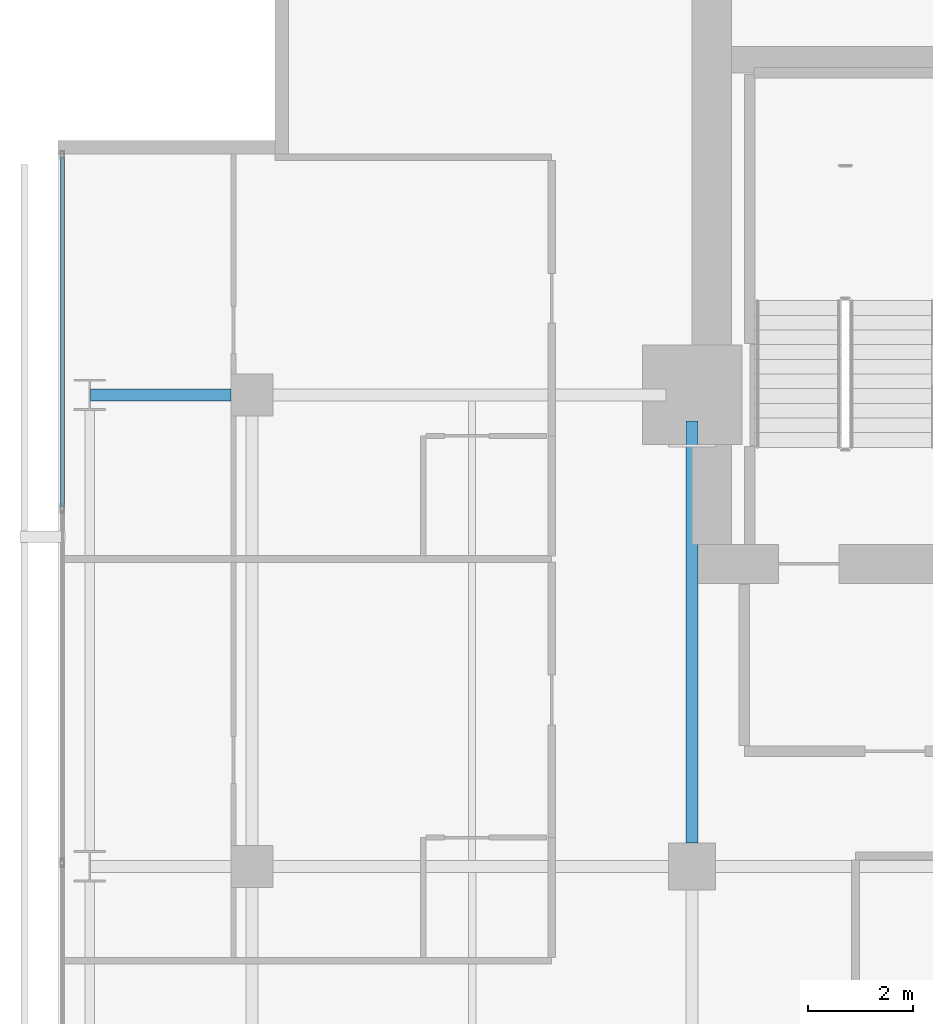
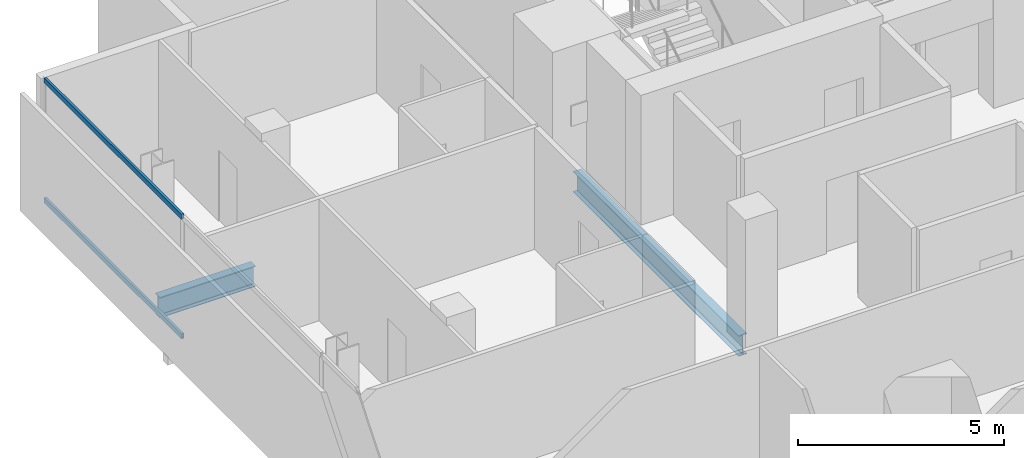
# One storey, part 19 of 33: 2 beams, 2 members, 1 element without a shape of its own.
"""IFC4 building model written with IfcOpenShell, lengths in metres."""

import ifcopenshell
import ifcopenshell.guid

model = None  # the IFC model being written
_history = None  # IfcOwnerHistory: only IFC2X3 demands one
_inside = {}  # id of a spatial element -> (the spatial element, [elements in it])
_under = {}  # id of a project, library or spatial element -> (it, [spatial elements below it])
_declared = {}  # id of a project -> (the project, [libraries it declares])
_typed = {}  # id of a type object -> (the type object, [elements of that type])
_made_of = {}  # id of a material, layer set ... -> (it, [elements and type objects made of it])


def new_model(schema):
    """Start an empty IFC model of exactly this schema.

    Asked for "IFC4X3", IfcOpenShell would pick the latest addendum, in which some entities
    have other attributes; the version numbers below select the first issue.
    IFC2X3 requires an IfcOwnerHistory on every rooted entity: one is made here for all.
    """
    global model, _history
    if schema == "IFC4X3":
        model = ifcopenshell.file(schema_version=(4, 3, 0, 0))
    else:
        model = ifcopenshell.file(schema=schema)
    _inside.clear()
    _under.clear()
    _declared.clear()
    _typed.clear()
    _made_of.clear()
    _history = None
    if model.schema == "IFC2X3":
        org = make("IfcOrganization", Name="unknown")
        user = make(
            "IfcPersonAndOrganization",
            ThePerson=make("IfcPerson", FamilyName="unknown"),
            TheOrganization=org,
        )
        app = make(
            "IfcApplication",
            ApplicationDeveloper=org,
            Version="unknown",
            ApplicationFullName="unknown",
            ApplicationIdentifier="unknown",
        )
        _history = make(
            "IfcOwnerHistory",
            OwningUser=user,
            OwningApplication=app,
            ChangeAction="ADDED",
            CreationDate=0,
        )
    return model


def make(cls, **values):
    """One entity of the class cls with the attributes given. An attribute that is None is left unset."""
    return model.create_entity(
        cls, **{name: value for name, value in values.items() if value is not None}
    )


def rooted(cls, **values):
    """An entity with a GlobalId (a new one), such as an element, a storey or a relation."""
    return make(cls, GlobalId=ifcopenshell.guid.new(), OwnerHistory=_history, **values)


def si_unit(unit_type, name, prefix=None):
    """IfcSIUnit, for example si_unit("LENGTHUNIT", "METRE", prefix="MILLI")."""
    return make("IfcSIUnit", UnitType=unit_type, Prefix=prefix, Name=name)


def assignment(units):
    """IfcUnitAssignment: the units of a project."""
    return None if units is None else make("IfcUnitAssignment", Units=units)


def point(xyz):
    """IfcCartesianPoint."""
    return None if xyz is None else make("IfcCartesianPoint", Coordinates=xyz)


def direction(xyz):
    """IfcDirection."""
    return None if xyz is None else make("IfcDirection", DirectionRatios=xyz)


def frame(location, z_axis=None, x_axis=None):
    """IfcAxis2Placement3D, a coordinate frame: its origin and axes. An axis left out is left unset."""
    return make(
        "IfcAxis2Placement3D",
        Location=point(location),
        Axis=direction(z_axis),
        RefDirection=direction(x_axis),
    )


def frame_2d(location, x_axis=None):
    """IfcAxis2Placement2D, a coordinate frame in the plane: its origin and x axis."""
    return make(
        "IfcAxis2Placement2D", Location=point(location), RefDirection=direction(x_axis)
    )


def origin():
    """The frame at (0, 0, 0) with its axes left unset."""
    return frame((0.0, 0.0, 0.0))


def origin_2d():
    """The frame at (0, 0) in the plane with its x axis left unset."""
    return frame_2d((0.0, 0.0))


def place(relative_to, where):
    """IfcLocalPlacement: puts the frame where relative to a parent placement (None: the world)."""
    return make(
        "IfcLocalPlacement", PlacementRelTo=relative_to, RelativePlacement=where
    )


def context(
    kind, dimensions, precision=None, world=None, true_north=None, identifier=None
):
    """IfcGeometricRepresentationContext, for example the 3D "Model" context."""
    return make(
        "IfcGeometricRepresentationContext",
        ContextIdentifier=identifier,
        ContextType=kind,
        CoordinateSpaceDimension=dimensions,
        Precision=precision,
        WorldCoordinateSystem=world,
        TrueNorth=true_north,
    )


def subcontext(parent, identifier, kind, view, scale=None):
    """IfcGeometricRepresentationSubContext, for example "Body" below "Model"."""
    return make(
        "IfcGeometricRepresentationSubContext",
        ContextIdentifier=identifier,
        ContextType=kind,
        ParentContext=parent,
        TargetScale=scale,
        TargetView=view,
    )


def project(units=None, contexts=None):
    """IfcProject with its units and contexts."""
    return rooted(
        "IfcProject",
        Name="project",
        RepresentationContexts=contexts,
        UnitsInContext=assignment(units),
    )


def spatial(cls, under=None, at=None, **own):
    """A site, building, storey or space (cls), placed at a placement, below another one or the project."""
    s = rooted(cls, ObjectPlacement=at, **own)
    if under is not None:
        _under.setdefault(under.id(), (under, []))[1].append(s)
    return s


def profile(cls, at=None, kind="AREA", **sizes):
    """A parametric profile (cls). Its sizes go by their IFC names, for example OverallWidth=200.0."""
    return make(cls, ProfileType=kind, Position=at, **sizes)


def hollow_rectangle(**sizes):
    """IfcRectangleHollowProfileDef."""
    return profile("IfcRectangleHollowProfileDef", **sizes)


def i_section(**sizes):
    """IfcIShapeProfileDef."""
    return profile("IfcIShapeProfileDef", **sizes)


def extrude(swept, where, along, depth):
    """IfcExtrudedAreaSolid: the profile swept, set in the frame where, extruded along a direction by depth."""
    return make(
        "IfcExtrudedAreaSolid",
        SweptArea=swept,
        Position=where,
        ExtrudedDirection=direction(along),
        Depth=depth,
    )


def shape(context_of_items, identifier, shape_type, items):
    """IfcShapeRepresentation: the items that make up one representation, for example the "Body"."""
    return make(
        "IfcShapeRepresentation",
        ContextOfItems=context_of_items,
        RepresentationIdentifier=identifier,
        RepresentationType=shape_type,
        Items=items,
    )


def material(Name=None, Category=None):
    """IfcMaterial."""
    return make("IfcMaterial", Name=Name, Category=Category)


def layer(
    of_material, thickness, ventilated=None, Name=None, Category=None, Priority=None
):
    """IfcMaterialLayer: one layer of a wall or slab, of a material (None: an air gap)."""
    return make(
        "IfcMaterialLayer",
        Material=of_material,
        LayerThickness=thickness,
        IsVentilated=ventilated,
        Name=Name,
        Category=Category,
        Priority=Priority,
    )


def layer_set(layers, Name=None):
    """IfcMaterialLayerSet."""
    return make("IfcMaterialLayerSet", MaterialLayers=layers, LayerSetName=Name)


def material_profile(
    of_material, cross_section, Name=None, Category=None, Priority=None
):
    """IfcMaterialProfile: a cross section and its material."""
    return make(
        "IfcMaterialProfile",
        Name=Name,
        Material=of_material,
        Profile=cross_section,
        Priority=Priority,
        Category=Category,
    )


def profile_set(profiles, Name=None, composite=None):
    """IfcMaterialProfileSet."""
    return make(
        "IfcMaterialProfileSet",
        Name=Name,
        MaterialProfiles=profiles,
        CompositeProfile=composite,
    )


def made_of(thing, what):
    """Note that an element or type object is made of a material, layer set ...; save() writes the relation."""
    if what is not None:
        _made_of.setdefault(what.id(), (what, []))[1].append(thing)
    return thing


def type_object(cls, material=None, **own):
    """A type object (cls), such as IfcWallType, which elements share."""
    return made_of(rooted(cls, **own), material)


def element(
    cls,
    number,
    at=None,
    inside=None,
    cuts=None,
    type_object=None,
    material=None,
    context=None,
    identifier="Body",
    shape_type=None,
    held_by="IfcProductDefinitionShape",
    body=None,
    shapes=None,
    **own,
):
    """One element of the class cls, such as IfcWall. Its Tag is "e" and its number.

    at: its placement. inside: the storey or other place that contains it. cuts: it is an
    opening in that element (IfcRelVoidsElement). A single representation is given by context,
    identifier, shape_type and body (its items); several are given by shapes. held_by: the class
    of the entity that holds the representations. save() writes the other relations.
    """
    e = rooted(cls, Tag="e%d" % number, ObjectPlacement=at, **own)
    if body is not None:
        shapes = [shape(context, identifier, shape_type, body)]
    if shapes is not None:
        e.Representation = make(held_by, Representations=shapes)
    if inside is not None:
        _inside.setdefault(inside.id(), (inside, []))[1].append(e)
    if cuts is not None:
        rooted(
            "IfcRelVoidsElement", RelatingBuildingElement=cuts, RelatedOpeningElement=e
        )
    if type_object is not None:
        _typed.setdefault(type_object.id(), (type_object, []))[1].append(e)
    return made_of(e, material)


def aggregate(whole, parts):
    """IfcRelAggregates: a whole, such as a stair, and the parts it consists of."""
    return rooted("IfcRelAggregates", RelatingObject=whole, RelatedObjects=parts)


def save(model, path):
    """Write the relations noted so far, then the file.

    IfcRelAggregates (storeys below a building ...), IfcRelContainedInSpatialStructure (elements
    in a storey), IfcRelDefinesByType, IfcRelAssociatesMaterial and IfcRelDeclares: one each for
    every whole, place, type object, material and project.
    """
    for whole, parts in _under.values():
        aggregate(whole, parts)
    for where, things in _inside.values():
        rooted(
            "IfcRelContainedInSpatialStructure",
            RelatedElements=things,
            RelatingStructure=where,
        )
    for kind, things in _typed.values():
        rooted("IfcRelDefinesByType", RelatedObjects=things, RelatingType=kind)
    for what, things in _made_of.values():
        rooted("IfcRelAssociatesMaterial", RelatedObjects=things, RelatingMaterial=what)
    for by, libraries in _declared.values():
        rooted("IfcRelDeclares", RelatingContext=by, RelatedDefinitions=libraries)
    model.write(path)


model = new_model("IFC4")

# Units and contexts
model_context = context("Model", 3, precision=1e-05, world=origin(), true_north=direction((0.0, 1.0)))
body_context = subcontext(model_context, "Body", "Model", "MODEL_VIEW")
ifc_project = project(units=[si_unit("LENGTHUNIT", "METRE"), si_unit("AREAUNIT", "SQUARE_METRE"), si_unit("VOLUMEUNIT", "CUBIC_METRE"), si_unit("PLANEANGLEUNIT", "RADIAN"), si_unit("MASSUNIT", "GRAM", prefix="KILO")], contexts=[model_context])

# Site, building, storey
site_placement = place(None, origin())
site = spatial("IfcSite", under=ifc_project, at=site_placement, CompositionType="ELEMENT")
building_placement = place(site_placement, origin())
building = spatial("IfcBuilding", under=site, at=building_placement, Name="Maruvema Waterfront Hotel and Observation Tower", CompositionType="ELEMENT")
storey_placement = place(building_placement, frame((0.0, 0.0, 142.800048828125)))
storey = spatial("IfcBuildingStorey", under=building, at=storey_placement, Name="L34", CompositionType="ELEMENT", Elevation=142.800048828125)

# Curtain wall, members
ifc_material_1 = material(Name="Anodised bronze aluminium and solar-control low-E IGU", Category="aluminium")
ifc_layer = layer(ifc_material_1, 0.159912109375, Name="Zone 2 Amber Inner Thermal Curtain Wall System CW-03")
ifc_layer_set = layer_set([ifc_layer], Name="Anodised bronze aluminium and solar-control low-E IGU")
curtain_wall_type = type_object("IfcCurtainWallType", Name="Zone 2 Amber Inner Thermal Curtain Wall System CW-03", PredefinedType="USERDEFINED", material=ifc_layer_set)
curtain_wall_placement = place(storey_placement, origin())
curtain_wall = element("IfcCurtainWall", 1, at=curtain_wall_placement, inside=storey, type_object=curtain_wall_type, Name="L34 Curtain Wall CW-L34-W", ObjectType="UNITISED CURTAIN WALL", PredefinedType="USERDEFINED")
ifc_material_2 = material(Name="Anodised architectural bronze aluminium", Category="aluminium")
ifc_material_profile_1 = material_profile(ifc_material_2, hollow_rectangle(XDim=0.070068359375, YDim=0.14990234375, WallThickness=0.00390625, at=origin_2d()), Name="ALU-T70x150")
ifc_profile_set_1 = profile_set([ifc_material_profile_1], Name="Anodised architectural bronze aluminium")
member_type = type_object("IfcMemberType", Name="Curtain Wall Horizontal Transom ALU-T70x150", PredefinedType="USERDEFINED", material=ifc_profile_set_1)
member_1_placement = place(storey_placement, frame((13.179931640625, 49.5400390625, 0.030029296875), z_axis=(0.0, -1.0, 0.0), x_axis=(1.0, 0.0, 0.0)))
member_1 = element("IfcMember", 2, at=member_1_placement, type_object=member_type, Name="CW-03 transom 1.1", ObjectType="TRANSOM", PredefinedType="USERDEFINED", context=body_context, shape_type="SweptSolid", body=[
    extrude(hollow_rectangle(XDim=0.070068359375, YDim=0.14990234375, WallThickness=0.00390625, at=origin_2d()), origin(), (0.0, 0.0, 1.0), 6.6767578125),
])
member_2_placement = place(storey_placement, frame((13.179931640625, 49.5400390625, 3.579833984375), z_axis=(0.0, -1.0, 0.0), x_axis=(1.0, 0.0, 0.0)))
member_2 = element("IfcMember", 3, at=member_2_placement, type_object=member_type, Name="CW-03 transom 1.2", ObjectType="TRANSOM", PredefinedType="USERDEFINED", context=body_context, shape_type="SweptSolid", body=[
    extrude(hollow_rectangle(XDim=0.070068359375, YDim=0.14990234375, WallThickness=0.00390625, at=origin_2d()), origin(), (0.0, 0.0, 1.0), 6.6767578125),
])
aggregate(curtain_wall, [member_1, member_2])

# Beams
ifc_material_3 = material(Name="Steel ASTM A572 Grade 50", Category="steel")
ifc_material_profile_2 = material_profile(ifc_material_3, i_section(OverallWidth=0.22900390625, OverallDepth=0.612060546875, WebThickness=0.011962890625, FlangeThickness=0.01953125, FilletRadius=0.01806640625, at=origin_2d()), Name="W610x125.0")
ifc_profile_set_2 = profile_set([ifc_material_profile_2], Name="Steel ASTM A572 Grade 50")
beam_type = type_object("IfcBeamType", Name="Primary Floor Girder W610x125.0", PredefinedType="BEAM", material=ifc_profile_set_2)
beam_1_placement = place(storey_placement, frame((13.71240234375, 45.0, -0.546142578125), z_axis=(1.0, 0.0, 0.0), x_axis=(0.0, 1.0, 0.0)))
element("IfcBeam", 4, at=beam_1_placement, inside=storey, type_object=beam_type, Name="L34 Floor Girder EW-30", PredefinedType="BEAM", context=body_context, shape_type="SweptSolid", body=[
    extrude(i_section(OverallWidth=0.22900390625, OverallDepth=0.612060546875, WebThickness=0.011962890625, FlangeThickness=0.01953125, FilletRadius=0.01806640625, at=origin_2d()), origin(), (0.0, 0.0, 1.0), 2.6875),
])
beam_2_placement = place(storey_placement, frame((25.199951171875, 36.449951171875, -0.546142578125), z_axis=(0.0, 1.0, 0.0), x_axis=(-1.0, 0.0, 0.0)))
element("IfcBeam", 5, at=beam_2_placement, inside=storey, type_object=beam_type, Name="L34 Floor Girder NS-13", PredefinedType="BEAM", context=body_context, shape_type="SweptSolid", body=[
    extrude(i_section(OverallWidth=0.22900390625, OverallDepth=0.612060546875, WebThickness=0.011962890625, FlangeThickness=0.01953125, FilletRadius=0.01806640625, at=origin_2d()), origin(), (0.0, 0.0, 1.0), 8.050048828125),
])

save(model, "model.ifc")
